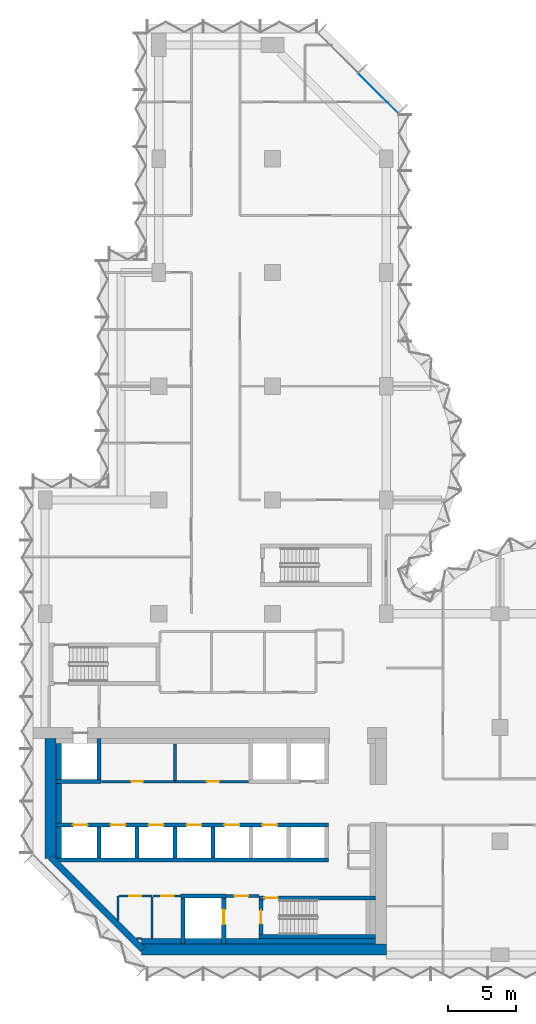
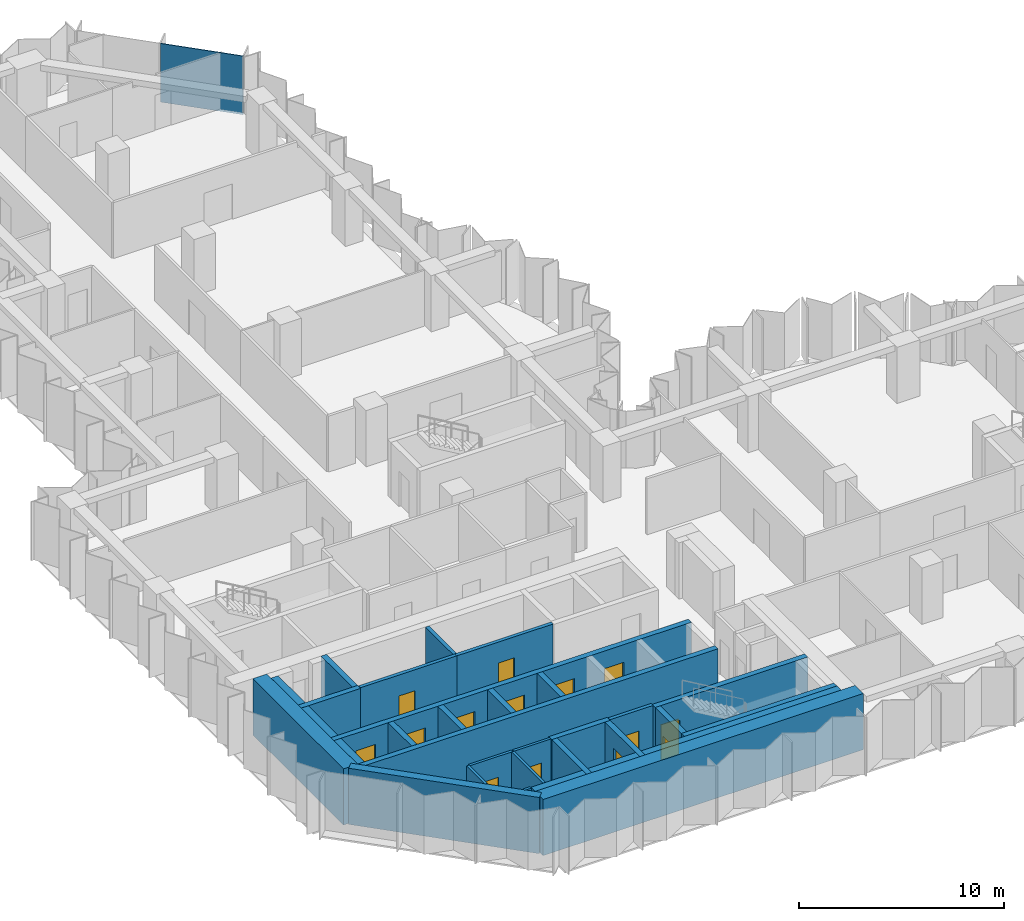
# One storey, part 5 of 11: 32 walls, 14 doors, 1 plate, 14 openings, 1 element without a shape of its own.
"""IFC4 building model written with IfcOpenShell, lengths in metres."""

from ifc_helpers import new_model, si_unit, direction, frame, frame_2d, origin, place, context, subcontext, project, spatial, polyline, rectangle, outline, extrude, material, layer, layer_set, type_object, element, fill, aggregate, save


model = new_model("IFC4")

# Units and contexts
model_context = context("Model", 3, precision=1e-05, world=origin(), true_north=direction((0.0, 1.0)))
body_context = subcontext(model_context, "Body", "Model", "MODEL_VIEW")
ifc_project = project(units=[si_unit("LENGTHUNIT", "METRE"), si_unit("AREAUNIT", "SQUARE_METRE"), si_unit("VOLUMEUNIT", "CUBIC_METRE"), si_unit("PLANEANGLEUNIT", "RADIAN"), si_unit("MASSUNIT", "GRAM", prefix="KILO")], contexts=[model_context])

# Site, building, storey
site_placement = place(None, origin())
site = spatial("IfcSite", under=ifc_project, at=site_placement, CompositionType="ELEMENT")
building_placement = place(site_placement, origin())
building = spatial("IfcBuilding", under=site, at=building_placement, Name="Brevane Broadcast Tower", CompositionType="ELEMENT")
storey_placement = place(building_placement, frame((0.0, 0.0, 138.5)))
storey = spatial("IfcBuildingStorey", under=building, at=storey_placement, Name="L34", CompositionType="ELEMENT", Elevation=138.5)

# Curtain wall, plate
ifc_material_1 = material(Name="Aluminium 6063-T6 bronze anodised", Category="aluminium")
curtain_wall_type = type_object("IfcCurtainWallType", Name="CW-1 curtain wall", PredefinedType="NOTDEFINED", material=ifc_material_1)
curtain_wall_placement = place(storey_placement, origin())
curtain_wall = element("IfcCurtainWall", 1, at=curtain_wall_placement, inside=storey, type_object=curtain_wall_type, Name="CW-1 typical tilted unit L34 north arm north-east chamfer", PredefinedType="NOTDEFINED")
ifc_material_2 = material(Name="Laminated glass bronze-tinted", Category="glass")
ifc_layer_1 = layer(ifc_material_2, 0.0400390625)
ifc_layer_set_1 = layer_set([ifc_layer_1], Name="CW tall glass panel 40")
plate_type = type_object("IfcPlateType", Name="CW tall glass panel 40", PredefinedType="CURTAIN_PANEL", material=ifc_layer_set_1)
plate_placement = place(storey_placement, frame((0.0, 0.0, -0.14990234375)))
plate = element("IfcPlate", 2, at=plate_placement, type_object=plate_type, Name="CW-1 glass panel", PredefinedType="CURTAIN_PANEL", context=body_context, shape_type="SweptSolid", body=[
    extrude(outline(polyline([(26.096435546875, 62.14599609375), (23.14599609375, 65.096435546875), (23.17431640625, 65.124755859375), (26.124755859375, 62.17431640625), (26.096435546875, 62.14599609375)])), origin(), (0.0, 0.0, 1.0), 3.5),
])
aggregate(curtain_wall, [plate])

# Walls
ifc_material_3 = material(Name="Concrete C32/40", Category="concrete")
ifc_layer_2 = layer(ifc_material_3, 0.39990234375)
ifc_layer_set_2 = layer_set([ifc_layer_2], Name="Core chase wall 400 mm")
wall_type_1 = type_object("IfcWallType", Name="Core chase wall 400 mm", PredefinedType="PARTITIONING", material=ifc_layer_set_2)
wall_1_placement = place(storey_placement, frame((1.0, 7.14990234375, 0.0), z_axis=(0.0, 0.0, 1.0), x_axis=(0.0, 1.0, 0.0)))
element("IfcWall", 3, at=wall_1_placement, inside=storey, type_object=wall_type_1, Name="L34 chase wall LW-2-1", PredefinedType="PARTITIONING", context=body_context, shape_type="SweptSolid", body=[
    extrude(rectangle(XDim=2.300048828125, YDim=0.39990234375, at=frame_2d((1.14990234375, 0.0))), origin(), (0.0, 0.0, 1.0), 3.35009765625),
])
wall_2_placement = place(storey_placement, frame((1.0, 9.75, 0.0), z_axis=(0.0, 0.0, 1.0), x_axis=(0.0, 1.0, 0.0)))
element("IfcWall", 4, at=wall_2_placement, inside=storey, type_object=wall_type_1, Name="L34 chase wall LW-2-2-1", PredefinedType="PARTITIONING", context=body_context, shape_type="SweptSolid", body=[
    extrude(rectangle(XDim=2.89990234375, YDim=0.39990234375, at=frame_2d((1.449951171875, 0.0))), origin(), (0.0, 0.0, 1.0), 3.35009765625),
])
wall_3_placement = place(storey_placement, frame((1.0, 12.949951171875, 0.0), z_axis=(0.0, 0.0, 1.0), x_axis=(0.0, 1.0, 0.0)))
element("IfcWall", 5, at=wall_3_placement, inside=storey, type_object=wall_type_1, Name="L34 chase wall LW-2-2-2", PredefinedType="PARTITIONING", context=body_context, shape_type="SweptSolid", body=[
    extrude(rectangle(XDim=2.650146484375, YDim=0.39990234375, at=frame_2d((1.3251953125, 0.0))), origin(), (0.0, 0.0, 1.0), 3.35009765625),
])
wall_4_placement = place(storey_placement, frame((7.136474609375, 1.0, 0.0), z_axis=(0.0, 0.0, 1.0), x_axis=(1.0, 0.0, 0.0)))
element("IfcWall", 6, at=wall_4_placement, inside=storey, type_object=wall_type_1, Name="L34 chase wall LS-1", PredefinedType="PARTITIONING", context=body_context, shape_type="SweptSolid", body=[
    extrude(rectangle(XDim=2.91357421875, YDim=0.39990234375, at=frame_2d((1.456787109375, 0.0))), origin(), (0.0, 0.0, 1.0), 3.35009765625),
])
wall_5_placement = place(storey_placement, frame((10.35009765625, 1.0, 0.0), z_axis=(0.0, 0.0, 1.0), x_axis=(1.0, 0.0, 0.0)))
element("IfcWall", 7, at=wall_5_placement, inside=storey, type_object=wall_type_1, Name="L34 chase wall LS-2-1", PredefinedType="PARTITIONING", context=body_context, shape_type="SweptSolid", body=[
    extrude(rectangle(XDim=2.699951171875, YDim=0.39990234375, at=frame_2d((1.35009765625, 0.0))), origin(), (0.0, 0.0, 1.0), 3.35009765625),
])
wall_6_placement = place(storey_placement, frame((13.35009765625, 1.0, 0.0), z_axis=(0.0, 0.0, 1.0), x_axis=(1.0, 0.0, 0.0)))
element("IfcWall", 8, at=wall_6_placement, inside=storey, type_object=wall_type_1, Name="L34 chase wall LS-2-2", PredefinedType="PARTITIONING", context=body_context, shape_type="SweptSolid", body=[
    extrude(rectangle(XDim=11.0498046875, YDim=0.39990234375, at=frame_2d((5.52490234375, 0.0))), origin(), (0.0, 0.0, 1.0), 3.35009765625),
])
ifc_material_4 = material(Name="Gypsum board on steel studs", Category="steel")
ifc_layer_3 = layer(ifc_material_4, 0.14990234375)
ifc_layer_set_3 = layer_set([ifc_layer_3], Name="Core fire partition 150 mm")
wall_type_2 = type_object("IfcWallType", Name="Core fire partition 150 mm", PredefinedType="PARTITIONING", material=ifc_layer_set_3)
wall_7_placement = place(storey_placement, frame((5.39990234375, 2.553466796875, 0.0), z_axis=(0.0, 0.0, 1.0), x_axis=(0.0, 1.0, 0.0)))
element("IfcWall", 9, at=wall_7_placement, inside=storey, type_object=wall_type_2, Name="L34 partition wall P10", PredefinedType="PARTITIONING", context=body_context, shape_type="SweptSolid", body=[
    extrude(rectangle(XDim=1.796630859375, YDim=0.14990234375, at=frame_2d((0.8984375, 0.0))), origin(), (0.0, 0.0, 1.0), 3.35009765625),
])

# Wall, opening, door
wall_8_placement = place(storey_placement, frame((5.47509765625, 4.35009765625, 0.0), z_axis=(0.0, 0.0, 1.0), x_axis=(1.0, 0.0, 0.0)))
wall_8 = element("IfcWall", 10, at=wall_8_placement, inside=storey, type_object=wall_type_2, Name="L34 partition wall P11", PredefinedType="PARTITIONING", context=body_context, shape_type="SweptSolid", body=[
    extrude(rectangle(XDim=2.4248046875, YDim=0.14990234375, at=frame_2d((1.21240234375, 0.0))), origin(), (0.0, 0.0, 1.0), 3.35009765625),
])
opening_1_placement = place(wall_8_placement, frame((0.72509765625, 0.0, 0.0)))
opening_1 = element("IfcOpeningElement", 11, at=opening_1_placement, cuts=wall_8, Name="Opening L34-K16", PredefinedType="OPENING", context=body_context, shape_type="SweptSolid", body=[
    extrude(rectangle(XDim=0.89990234375, YDim=2.10009765625, at=frame_2d((0.449951171875, 1.050048828125))), frame((0.0, 0.0849609375, 0.0), z_axis=(0.0, -1.0, 0.0), x_axis=(1.0, 0.0, 0.0)), (0.0, 0.0, 1.0), 0.169921875),
])
ifc_material_5 = material(Name="Timber", Category="wood")
door_type_1 = type_object("IfcDoorType", Name="Toilet door 900 x 2100", OperationType="SINGLE_SWING_LEFT", PredefinedType="DOOR", material=ifc_material_5)
door_1_placement = place(opening_1_placement, origin())
door_1 = element("IfcDoor", 12, at=door_1_placement, inside=storey, type_object=door_type_1, Name="Door L34-K16", OperationType="SINGLE_SWING_RIGHT", OverallHeight=2.10009765625, OverallWidth=0.89990234375, PredefinedType="DOOR", context=body_context, shape_type="SweptSolid", body=[
    extrude(rectangle(XDim=0.89990234375, YDim=2.10009765625, at=frame_2d((0.449951171875, 1.050048828125))), frame((0.0, 0.02490234375, 0.0), z_axis=(0.0, -1.0, 0.0), x_axis=(1.0, 0.0, 0.0)), (0.0, 0.0, 1.0), 0.050048828125),
])
fill(opening_1, door_1)

# Walls
wall_9_placement = place(storey_placement, frame((7.89990234375, 4.27490234375, 0.0), z_axis=(0.0, 0.0, 1.0), x_axis=(0.0, -1.0, 0.0)))
element("IfcWall", 13, at=wall_9_placement, inside=storey, type_object=wall_type_2, Name="L34 partition wall P12", PredefinedType="PARTITIONING", context=body_context, shape_type="SweptSolid", body=[
    extrude(rectangle(XDim=3.06298828125, YDim=0.14990234375, at=frame_2d((1.531494140625, 0.0))), origin(), (0.0, 0.0, 1.0), 3.35009765625),
])
wall_10_placement = place(storey_placement, frame((7.12451171875, 1.199951171875, 0.0), z_axis=(0.0, 0.0, 1.0), x_axis=(-1.0, 0.0, 0.0)))
element("IfcWall", 14, at=wall_10_placement, inside=storey, type_object=wall_type_2, Name="L34 partition wall P13", PredefinedType="PARTITIONING", context=body_context, shape_type="SweptSolid", body=[
    extrude(rectangle(XDim=0.37109375, YDim=0.14990234375, at=frame_2d((0.185546875, 0.0))), origin(), (0.0, 0.0, 1.0), 3.35009765625),
])

# Wall, opening, door
wall_11_placement = place(storey_placement, frame((10.0380859375, 4.35009765625, 0.0), z_axis=(0.0, 0.0, 1.0), x_axis=(-1.0, 0.0, 0.0)))
wall_11 = element("IfcWall", 15, at=wall_11_placement, inside=storey, type_object=wall_type_2, Name="L34 partition wall P14", PredefinedType="PARTITIONING", context=body_context, shape_type="SweptSolid", body=[
    extrude(rectangle(XDim=2.06298828125, YDim=0.14990234375, at=frame_2d((1.031494140625, 0.0))), origin(), (0.0, 0.0, 1.0), 3.35009765625),
])
opening_2_placement = place(wall_11_placement, frame((0.5380859375, 0.0, 0.0)))
opening_2 = element("IfcOpeningElement", 16, at=opening_2_placement, cuts=wall_11, Name="Opening L34-K17", PredefinedType="OPENING", context=body_context, shape_type="SweptSolid", body=[
    extrude(rectangle(XDim=0.89990234375, YDim=2.10009765625, at=frame_2d((0.449951171875, 1.050048828125))), frame((0.0, 0.0849609375, 0.0), z_axis=(0.0, -1.0, 0.0), x_axis=(1.0, 0.0, 0.0)), (0.0, 0.0, 1.0), 0.169921875),
])
door_2_placement = place(opening_2_placement, origin())
door_2 = element("IfcDoor", 17, at=door_2_placement, inside=storey, type_object=door_type_1, Name="Door L34-K17", OperationType="SINGLE_SWING_LEFT", OverallHeight=2.10009765625, OverallWidth=0.89990234375, PredefinedType="DOOR", context=body_context, shape_type="SweptSolid", body=[
    extrude(rectangle(XDim=0.89990234375, YDim=2.10009765625, at=frame_2d((0.449951171875, 1.050048828125))), frame((0.0, 0.02490234375, 0.0), z_axis=(0.0, -1.0, 0.0), x_axis=(1.0, 0.0, 0.0)), (0.0, 0.0, 1.0), 0.050048828125),
])
fill(opening_2, door_2)

ifc_layer_4 = layer(ifc_material_4, 0.199951171875)
ifc_layer_set_4 = layer_set([ifc_layer_4], Name="Core fire partition 200 mm")
wall_type_3 = type_object("IfcWallType", Name="Core fire partition 200 mm", PredefinedType="PARTITIONING", material=ifc_layer_set_4)
wall_12_placement = place(storey_placement, frame((13.362060546875, 4.35009765625, 0.0), z_axis=(0.0, 0.0, 1.0), x_axis=(1.0, 0.0, 0.0)))
wall_12 = element("IfcWall", 18, at=wall_12_placement, inside=storey, type_object=wall_type_3, Name="L34 partition wall P03", PredefinedType="PARTITIONING", context=body_context, shape_type="SweptSolid", body=[
    extrude(rectangle(XDim=2.426025390625, YDim=0.199951171875, at=frame_2d((1.212890625, 0.0))), origin(), (0.0, 0.0, 1.0), 3.35009765625),
])
opening_3_placement = place(wall_12_placement, frame((0.637939453125, 0.0, 0.0)))
opening_3 = element("IfcOpeningElement", 19, at=opening_3_placement, cuts=wall_12, Name="Opening L34-K18", PredefinedType="OPENING", context=body_context, shape_type="SweptSolid", body=[
    extrude(rectangle(XDim=1.0, YDim=2.10009765625, at=frame_2d((0.5, 1.050048828125))), frame((0.0, 0.10986328125, 0.0), z_axis=(0.0, -1.0, 0.0), x_axis=(1.0, 0.0, 0.0)), (0.0, 0.0, 1.0), 0.219970703125),
])
ifc_material_6 = material(Name="Steel", Category="steel")
door_type_2 = type_object("IfcDoorType", Name="Stair door 1000 x 2100", OperationType="SINGLE_SWING_LEFT", PredefinedType="DOOR", material=ifc_material_6)
door_3_placement = place(opening_3_placement, origin())
door_3 = element("IfcDoor", 20, at=door_3_placement, inside=storey, type_object=door_type_2, Name="Door L34-K18", OperationType="SINGLE_SWING_RIGHT", OverallHeight=2.10009765625, OverallWidth=1.0, PredefinedType="DOOR", context=body_context, shape_type="SweptSolid", body=[
    extrude(rectangle(XDim=1.0, YDim=2.10009765625, at=frame_2d((0.5, 1.050048828125))), frame((0.0, 0.02490234375, 0.0), z_axis=(0.0, -1.0, 0.0), x_axis=(1.0, 0.0, 0.0)), (0.0, 0.0, 1.0), 0.050048828125),
])
fill(opening_3, door_3)

wall_13_placement = place(storey_placement, frame((4.162109375, 12.800048828125, 0.0), z_axis=(0.0, 0.0, 1.0), x_axis=(1.0, 0.0, 0.0)))
wall_13 = element("IfcWall", 21, at=wall_13_placement, inside=storey, type_object=wall_type_3, Name="L34 partition wall P04", PredefinedType="PARTITIONING", context=body_context, shape_type="SweptSolid", body=[
    extrude(rectangle(XDim=5.43798828125, YDim=0.199951171875, at=frame_2d((2.718994140625, 0.0))), origin(), (0.0, 0.0, 1.0), 3.35009765625),
])
opening_4_placement = place(wall_13_placement, frame((2.18798828125, 0.0, 0.0)))
opening_4 = element("IfcOpeningElement", 22, at=opening_4_placement, cuts=wall_13, Name="Opening L34-K21", PredefinedType="OPENING", context=body_context, shape_type="SweptSolid", body=[
    extrude(rectangle(XDim=0.89990234375, YDim=2.10009765625, at=frame_2d((0.449951171875, 1.050048828125))), frame((0.0, 0.10986328125, 0.0), z_axis=(0.0, -1.0, 0.0), x_axis=(1.0, 0.0, 0.0)), (0.0, 0.0, 1.0), 0.219970703125),
])
door_type_3 = type_object("IfcDoorType", Name="Service room door 900 x 2100", OperationType="SINGLE_SWING_LEFT", PredefinedType="DOOR", material=ifc_material_6)
door_4_placement = place(opening_4_placement, origin())
door_4 = element("IfcDoor", 23, at=door_4_placement, inside=storey, type_object=door_type_3, Name="Door L34-K21", OperationType="SINGLE_SWING_LEFT", OverallHeight=2.10009765625, OverallWidth=0.89990234375, PredefinedType="DOOR", context=body_context, shape_type="SweptSolid", body=[
    extrude(rectangle(XDim=0.89990234375, YDim=2.10009765625, at=frame_2d((0.449951171875, 1.050048828125))), frame((0.0, 0.02490234375, 0.0), z_axis=(0.0, -1.0, 0.0), x_axis=(1.0, 0.0, 0.0)), (0.0, 0.0, 1.0), 0.050048828125),
])
fill(opening_4, door_4)

wall_14_placement = place(storey_placement, frame((9.60009765625, 12.800048828125, 0.0), z_axis=(0.0, 0.0, 1.0), x_axis=(1.0, 0.0, 0.0)))
wall_14 = element("IfcWall", 24, at=wall_14_placement, inside=storey, type_object=wall_type_3, Name="L34 partition wall P05", PredefinedType="PARTITIONING", context=body_context, shape_type="SweptSolid", body=[
    extrude(rectangle(XDim=5.43798828125, YDim=0.199951171875, at=frame_2d((2.718994140625, 0.0))), origin(), (0.0, 0.0, 1.0), 3.35009765625),
])
opening_5_placement = place(wall_14_placement, frame((2.35009765625, 0.0, 0.0)))
opening_5 = element("IfcOpeningElement", 25, at=opening_5_placement, cuts=wall_14, Name="Opening L34-K22", PredefinedType="OPENING", context=body_context, shape_type="SweptSolid", body=[
    extrude(rectangle(XDim=0.89990234375, YDim=2.10009765625, at=frame_2d((0.449951171875, 1.050048828125))), frame((0.0, 0.10986328125, 0.0), z_axis=(0.0, -1.0, 0.0), x_axis=(1.0, 0.0, 0.0)), (0.0, 0.0, 1.0), 0.219970703125),
])
door_5_placement = place(opening_5_placement, origin())
door_5 = element("IfcDoor", 26, at=door_5_placement, inside=storey, type_object=door_type_3, Name="Door L34-K22", OperationType="SINGLE_SWING_RIGHT", OverallHeight=2.10009765625, OverallWidth=0.89990234375, PredefinedType="DOOR", context=body_context, shape_type="SweptSolid", body=[
    extrude(rectangle(XDim=0.89990234375, YDim=2.10009765625, at=frame_2d((0.449951171875, 1.050048828125))), frame((0.0, 0.02490234375, 0.0), z_axis=(0.0, -1.0, 0.0), x_axis=(1.0, 0.0, 0.0)), (0.0, 0.0, 1.0), 0.050048828125),
])
fill(opening_5, door_5)

# Walls
wall_15_placement = place(storey_placement, frame((9.60009765625, 15.587890625, 0.0), z_axis=(0.0, 0.0, 1.0), x_axis=(0.0, -1.0, 0.0)))
element("IfcWall", 27, at=wall_15_placement, inside=storey, type_object=wall_type_3, Name="L34 partition wall P06", PredefinedType="PARTITIONING", context=body_context, shape_type="SweptSolid", body=[
    extrude(rectangle(XDim=2.68798828125, YDim=0.199951171875, at=frame_2d((1.343994140625, 0.0))), origin(), (0.0, 0.0, 1.0), 3.35009765625),
])
ifc_material_7 = material(Name="Concrete C60/75", Category="concrete")
ifc_layer_5 = layer(ifc_material_7, 0.300048828125)
ifc_layer_set_5 = layer_set([ifc_layer_5], Name="Core wall 300 mm C60/75")
wall_type_4 = type_object("IfcWallType", Name="Core wall 300 mm C60/75", PredefinedType="SHEAR", material=ifc_layer_set_5)
wall_16_placement = place(storey_placement, frame((0.800048828125, 7.0, 0.0), z_axis=(0.0, 0.0, 1.0), x_axis=(1.0, 0.0, 0.0)))
element("IfcWall", 28, at=wall_16_placement, inside=storey, type_object=wall_type_4, Name="L34 shaft wall SH-S012-back", PredefinedType="SHEAR", context=body_context, shape_type="SweptSolid", body=[
    extrude(rectangle(XDim=20.14990234375, YDim=0.300048828125, at=frame_2d((10.074951171875, 0.0))), origin(), (0.0, 0.0, 1.0), 3.35009765625),
])

# Wall, openings, doors
wall_17_placement = place(storey_placement, frame((0.800048828125, 9.60009765625, 0.0), z_axis=(0.0, 0.0, 1.0), x_axis=(1.0, 0.0, 0.0)))
wall_17 = element("IfcWall", 29, at=wall_17_placement, inside=storey, type_object=wall_type_4, Name="L34 shaft wall SH-S012-front", PredefinedType="SHEAR", context=body_context, shape_type="SweptSolid", body=[
    extrude(rectangle(XDim=20.14990234375, YDim=0.300048828125, at=frame_2d((10.074951171875, 0.0))), origin(), (0.0, 0.0, 1.0), 3.35009765625),
])
opening_6_placement = place(wall_17_placement, frame((1.25, 0.0, 0.0)))
opening_6 = element("IfcOpeningElement", 30, at=opening_6_placement, cuts=wall_17, Name="Opening LD", PredefinedType="OPENING", context=body_context, shape_type="SweptSolid", body=[
    extrude(rectangle(XDim=1.10009765625, YDim=2.300048828125, at=frame_2d((0.550048828125, 1.14990234375))), frame((0.0, 0.159912109375, 0.0), z_axis=(0.0, -1.0, 0.0), x_axis=(1.0, 0.0, 0.0)), (0.0, 0.0, 1.0), 0.320068359375),
])
opening_7_placement = place(wall_17_placement, frame((4.050048828125, 0.0, 0.0)))
opening_7 = element("IfcOpeningElement", 31, at=opening_7_placement, cuts=wall_17, Name="Opening LD", PredefinedType="OPENING", context=body_context, shape_type="SweptSolid", body=[
    extrude(rectangle(XDim=1.10009765625, YDim=2.300048828125, at=frame_2d((0.550048828125, 1.14990234375))), frame((0.0, 0.159912109375, 0.0), z_axis=(0.0, -1.0, 0.0), x_axis=(1.0, 0.0, 0.0)), (0.0, 0.0, 1.0), 0.320068359375),
])
opening_8_placement = place(wall_17_placement, frame((6.85009765625, 0.0, 0.0)))
opening_8 = element("IfcOpeningElement", 32, at=opening_8_placement, cuts=wall_17, Name="Opening LD", PredefinedType="OPENING", context=body_context, shape_type="SweptSolid", body=[
    extrude(rectangle(XDim=1.10009765625, YDim=2.300048828125, at=frame_2d((0.550048828125, 1.14990234375))), frame((0.0, 0.159912109375, 0.0), z_axis=(0.0, -1.0, 0.0), x_axis=(1.0, 0.0, 0.0)), (0.0, 0.0, 1.0), 0.320068359375),
])
opening_9_placement = place(wall_17_placement, frame((9.64990234375, 0.0, 0.0)))
opening_9 = element("IfcOpeningElement", 33, at=opening_9_placement, cuts=wall_17, Name="Opening LD", PredefinedType="OPENING", context=body_context, shape_type="SweptSolid", body=[
    extrude(rectangle(XDim=1.10009765625, YDim=2.300048828125, at=frame_2d((0.550048828125, 1.14990234375))), frame((0.0, 0.159912109375, 0.0), z_axis=(0.0, -1.0, 0.0), x_axis=(1.0, 0.0, 0.0)), (0.0, 0.0, 1.0), 0.320068359375),
])
opening_10_placement = place(wall_17_placement, frame((12.449951171875, 0.0, 0.0)))
opening_10 = element("IfcOpeningElement", 34, at=opening_10_placement, cuts=wall_17, Name="Opening LD", PredefinedType="OPENING", context=body_context, shape_type="SweptSolid", body=[
    extrude(rectangle(XDim=1.10009765625, YDim=2.300048828125, at=frame_2d((0.550048828125, 1.14990234375))), frame((0.0, 0.159912109375, 0.0), z_axis=(0.0, -1.0, 0.0), x_axis=(1.0, 0.0, 0.0)), (0.0, 0.0, 1.0), 0.320068359375),
])
opening_11_placement = place(wall_17_placement, frame((15.25, 0.0, 0.0)))
opening_11 = element("IfcOpeningElement", 35, at=opening_11_placement, cuts=wall_17, Name="Opening LD", PredefinedType="OPENING", context=body_context, shape_type="SweptSolid", body=[
    extrude(rectangle(XDim=1.10009765625, YDim=2.300048828125, at=frame_2d((0.550048828125, 1.14990234375))), frame((0.0, 0.159912109375, 0.0), z_axis=(0.0, -1.0, 0.0), x_axis=(1.0, 0.0, 0.0)), (0.0, 0.0, 1.0), 0.320068359375),
])
ifc_material_8 = material(Name="Stainless steel", Category="steel")
door_type_4 = type_object("IfcDoorType", Name="Lift landing door", OperationType="SLIDING_TO_LEFT", PredefinedType="DOOR", material=ifc_material_8)
door_6_placement = place(opening_6_placement, origin())
door_6 = element("IfcDoor", 36, at=door_6_placement, inside=storey, type_object=door_type_4, Name="Landing door LR1 L34", OperationType="SLIDING_TO_LEFT", OverallHeight=2.300048828125, OverallWidth=1.10009765625, PredefinedType="DOOR", context=body_context, shape_type="SweptSolid", body=[
    extrude(rectangle(XDim=1.10009765625, YDim=2.300048828125, at=frame_2d((0.550048828125, 1.14990234375))), frame((0.0, 0.02490234375, 0.0), z_axis=(0.0, -1.0, 0.0), x_axis=(1.0, 0.0, 0.0)), (0.0, 0.0, 1.0), 0.050048828125),
])
fill(opening_6, door_6)
door_7_placement = place(opening_7_placement, origin())
door_7 = element("IfcDoor", 37, at=door_7_placement, inside=storey, type_object=door_type_4, Name="Landing door LR2 L34", OperationType="SLIDING_TO_LEFT", OverallHeight=2.300048828125, OverallWidth=1.10009765625, PredefinedType="DOOR", context=body_context, shape_type="SweptSolid", body=[
    extrude(rectangle(XDim=1.10009765625, YDim=2.300048828125, at=frame_2d((0.550048828125, 1.14990234375))), frame((0.0, 0.02490234375, 0.0), z_axis=(0.0, -1.0, 0.0), x_axis=(1.0, 0.0, 0.0)), (0.0, 0.0, 1.0), 0.050048828125),
])
fill(opening_7, door_7)
door_8_placement = place(opening_8_placement, origin())
door_8 = element("IfcDoor", 38, at=door_8_placement, inside=storey, type_object=door_type_4, Name="Landing door LR3 L34", OperationType="SLIDING_TO_LEFT", OverallHeight=2.300048828125, OverallWidth=1.10009765625, PredefinedType="DOOR", context=body_context, shape_type="SweptSolid", body=[
    extrude(rectangle(XDim=1.10009765625, YDim=2.300048828125, at=frame_2d((0.550048828125, 1.14990234375))), frame((0.0, 0.02490234375, 0.0), z_axis=(0.0, -1.0, 0.0), x_axis=(1.0, 0.0, 0.0)), (0.0, 0.0, 1.0), 0.050048828125),
])
fill(opening_8, door_8)
door_9_placement = place(opening_9_placement, origin())
door_9 = element("IfcDoor", 39, at=door_9_placement, inside=storey, type_object=door_type_4, Name="Landing door LR4 L34", OperationType="SLIDING_TO_LEFT", OverallHeight=2.300048828125, OverallWidth=1.10009765625, PredefinedType="DOOR", context=body_context, shape_type="SweptSolid", body=[
    extrude(rectangle(XDim=1.10009765625, YDim=2.300048828125, at=frame_2d((0.550048828125, 1.14990234375))), frame((0.0, 0.02490234375, 0.0), z_axis=(0.0, -1.0, 0.0), x_axis=(1.0, 0.0, 0.0)), (0.0, 0.0, 1.0), 0.050048828125),
])
fill(opening_9, door_9)
door_10_placement = place(opening_10_placement, origin())
door_10 = element("IfcDoor", 40, at=door_10_placement, inside=storey, type_object=door_type_4, Name="Landing door LR5 L34", OperationType="SLIDING_TO_LEFT", OverallHeight=2.300048828125, OverallWidth=1.10009765625, PredefinedType="DOOR", context=body_context, shape_type="SweptSolid", body=[
    extrude(rectangle(XDim=1.10009765625, YDim=2.300048828125, at=frame_2d((0.550048828125, 1.14990234375))), frame((0.0, 0.02490234375, 0.0), z_axis=(0.0, -1.0, 0.0), x_axis=(1.0, 0.0, 0.0)), (0.0, 0.0, 1.0), 0.050048828125),
])
fill(opening_10, door_10)
door_11_placement = place(opening_11_placement, origin())
door_11 = element("IfcDoor", 41, at=door_11_placement, inside=storey, type_object=door_type_4, Name="Landing door LR6 L34", OperationType="SLIDING_TO_LEFT", OverallHeight=2.300048828125, OverallWidth=1.10009765625, PredefinedType="DOOR", context=body_context, shape_type="SweptSolid", body=[
    extrude(rectangle(XDim=1.10009765625, YDim=2.300048828125, at=frame_2d((0.550048828125, 1.14990234375))), frame((0.0, 0.02490234375, 0.0), z_axis=(0.0, -1.0, 0.0), x_axis=(1.0, 0.0, 0.0)), (0.0, 0.0, 1.0), 0.050048828125),
])
fill(opening_11, door_11)

# Walls
for number, where, z_axis, x_axis, name in (
    (42, (4.0, 7.14990234375, 0.0), (0.0, 0.0, 1.0), (0.0, 1.0, 0.0), "L34 shaft wall SH-S-P040"),
    (43, (6.800048828125, 7.14990234375, 0.0), (0.0, 0.0, 1.0), (0.0, 1.0, 0.0), "L34 shaft wall SH-S-P068"),
    (44, (9.60009765625, 7.14990234375, 0.0), (0.0, 0.0, 1.0), (0.0, 1.0, 0.0), "L34 shaft wall SH-S-P096"),
    (45, (12.39990234375, 7.14990234375, 0.0), (0.0, 0.0, 1.0), (0.0, 1.0, 0.0), "L34 shaft wall SH-S-P124"),
):
    element("IfcWall", number, at=place(storey_placement, frame(where, z_axis=z_axis, x_axis=x_axis)), inside=storey, type_object=wall_type_4, Name=name, PredefinedType="SHEAR", context=body_context, shape_type="SweptSolid", body=[
        extrude(rectangle(XDim=2.300048828125, YDim=0.300048828125, at=frame_2d((1.14990234375, 0.0))), origin(), (0.0, 0.0, 1.0), 3.35009765625),
    ])
wall_18_placement = place(storey_placement, frame((0.800048828125, 12.800048828125, 0.0), z_axis=(0.0, 0.0, 1.0), x_axis=(1.0, 0.0, 0.0)))
element("IfcWall", 46, at=wall_18_placement, inside=storey, type_object=wall_type_4, Name="L34 shaft wall SH-N012-front", PredefinedType="SHEAR", context=body_context, shape_type="SweptSolid", body=[
    extrude(rectangle(XDim=3.349853515625, YDim=0.300048828125, at=frame_2d((1.6748046875, 0.0))), origin(), (0.0, 0.0, 1.0), 3.35009765625),
])
wall_19_placement = place(storey_placement, frame((4.0, 12.949951171875, 0.0), z_axis=(0.0, 0.0, 1.0), x_axis=(0.0, 1.0, 0.0)))
element("IfcWall", 47, at=wall_19_placement, inside=storey, type_object=wall_type_4, Name="L34 shaft wall SH-N-P040", PredefinedType="SHEAR", context=body_context, shape_type="SweptSolid", body=[
    extrude(rectangle(XDim=3.050048828125, YDim=0.300048828125, at=frame_2d((1.52490234375, 0.0))), origin(), (0.0, 0.0, 1.0), 3.35009765625),
])
wall_20_placement = place(storey_placement, frame((10.199951171875, 0.800048828125, 0.0), z_axis=(0.0, 0.0, 1.0), x_axis=(0.0, 1.0, 0.0)))
element("IfcWall", 48, at=wall_20_placement, inside=storey, type_object=wall_type_4, Name="L34 shaft wall FF2-W", PredefinedType="SHEAR", context=body_context, shape_type="SweptSolid", body=[
    extrude(rectangle(XDim=3.39990234375, YDim=0.300048828125, at=frame_2d((1.699951171875, 0.0))), origin(), (0.0, 0.0, 1.0), 3.35009765625),
])

# Wall, opening, door
wall_21_placement = place(storey_placement, frame((13.199951171875, 0.800048828125, 0.0), z_axis=(0.0, 0.0, 1.0), x_axis=(0.0, 1.0, 0.0)))
wall_21 = element("IfcWall", 49, at=wall_21_placement, inside=storey, type_object=wall_type_4, Name="L34 shaft wall FF2-E", PredefinedType="SHEAR", context=body_context, shape_type="SweptSolid", body=[
    extrude(rectangle(XDim=3.39990234375, YDim=0.300048828125, at=frame_2d((1.699951171875, 0.0))), origin(), (0.0, 0.0, 1.0), 3.35009765625),
])
opening_12_placement = place(wall_21_placement, frame((1.449951171875, 0.0, 0.0)))
opening_12 = element("IfcOpeningElement", 50, at=opening_12_placement, cuts=wall_21, Name="Opening LD", PredefinedType="OPENING", context=body_context, shape_type="SweptSolid", body=[
    extrude(rectangle(XDim=1.10009765625, YDim=2.300048828125, at=frame_2d((0.550048828125, 1.14990234375))), frame((0.0, 0.159912109375, 0.0), z_axis=(0.0, -1.0, 0.0), x_axis=(1.0, 0.0, 0.0)), (0.0, 0.0, 1.0), 0.320068359375),
])
door_12_placement = place(opening_12_placement, origin())
door_12 = element("IfcDoor", 51, at=door_12_placement, inside=storey, type_object=door_type_4, Name="Landing door FF2 L34", OperationType="SLIDING_TO_LEFT", OverallHeight=2.300048828125, OverallWidth=1.10009765625, PredefinedType="DOOR", context=body_context, shape_type="SweptSolid", body=[
    extrude(rectangle(XDim=1.10009765625, YDim=2.300048828125, at=frame_2d((0.550048828125, 1.14990234375))), frame((0.0, 0.02490234375, 0.0), z_axis=(0.0, -1.0, 0.0), x_axis=(1.0, 0.0, 0.0)), (0.0, 0.0, 1.0), 0.050048828125),
])
fill(opening_12, door_12)

# Walls
wall_22_placement = place(storey_placement, frame((10.050048828125, 4.35009765625, 0.0), z_axis=(0.0, 0.0, 1.0), x_axis=(1.0, 0.0, 0.0)))
element("IfcWall", 52, at=wall_22_placement, inside=storey, type_object=wall_type_4, Name="L34 shaft wall FF2-N", PredefinedType="SHEAR", context=body_context, shape_type="SweptSolid", body=[
    extrude(rectangle(XDim=3.300048828125, YDim=0.300048828125, at=frame_2d((1.64990234375, 0.0))), origin(), (0.0, 0.0, 1.0), 3.35009765625),
])
wall_23_placement = place(storey_placement, frame((15.800048828125, 1.35009765625, 0.0), z_axis=(0.0, 0.0, 1.0), x_axis=(1.0, 0.0, 0.0)))
element("IfcWall", 53, at=wall_23_placement, inside=storey, type_object=wall_type_4, Name="L34 stair wall ST-2-S", PredefinedType="SHEAR", context=body_context, shape_type="SweptSolid", body=[
    extrude(rectangle(XDim=8.599853515625, YDim=0.300048828125, at=frame_2d((4.2998046875, 0.0))), origin(), (0.0, 0.0, 1.0), 3.35009765625),
])

# Wall, opening, door
wall_24_placement = place(storey_placement, frame((15.800048828125, 4.199951171875, 0.0), z_axis=(0.0, 0.0, 1.0), x_axis=(1.0, 0.0, 0.0)))
wall_24 = element("IfcWall", 54, at=wall_24_placement, inside=storey, type_object=wall_type_4, Name="L34 stair wall ST-2-N", PredefinedType="SHEAR", context=body_context, shape_type="SweptSolid", body=[
    extrude(rectangle(XDim=8.599853515625, YDim=0.300048828125, at=frame_2d((4.2998046875, 0.0))), origin(), (0.0, 0.0, 1.0), 3.35009765625),
])
opening_13_placement = place(wall_24_placement, frame((0.39990234375, 0.0, 0.0)))
opening_13 = element("IfcOpeningElement", 55, at=opening_13_placement, cuts=wall_24, Name="Opening L34-K13", PredefinedType="OPENING", context=body_context, shape_type="SweptSolid", body=[
    extrude(rectangle(XDim=1.0, YDim=2.10009765625, at=frame_2d((0.5, 1.050048828125))), frame((0.0, 0.159912109375, 0.0), z_axis=(0.0, -1.0, 0.0), x_axis=(1.0, 0.0, 0.0)), (0.0, 0.0, 1.0), 0.320068359375),
])
door_13_placement = place(opening_13_placement, origin())
door_13 = element("IfcDoor", 56, at=door_13_placement, inside=storey, type_object=door_type_2, Name="Door L34-K13", OperationType="SINGLE_SWING_LEFT", OverallHeight=2.10009765625, OverallWidth=1.0, PredefinedType="DOOR", context=body_context, shape_type="SweptSolid", body=[
    extrude(rectangle(XDim=1.0, YDim=2.10009765625, at=frame_2d((0.5, 1.050048828125))), frame((0.0, 0.02490234375, 0.0), z_axis=(0.0, -1.0, 0.0), x_axis=(1.0, 0.0, 0.0)), (0.0, 0.0, 1.0), 0.050048828125),
])
fill(opening_13, door_13)

wall_25_placement = place(storey_placement, frame((15.949951171875, 1.5, 0.0), z_axis=(0.0, 0.0, 1.0), x_axis=(0.0, 1.0, 0.0)))
wall_25 = element("IfcWall", 57, at=wall_25_placement, inside=storey, type_object=wall_type_4, Name="L34 stair wall ST-2-W", PredefinedType="SHEAR", context=body_context, shape_type="SweptSolid", body=[
    extrude(rectangle(XDim=2.550048828125, YDim=0.300048828125, at=frame_2d((1.27490234375, 0.0))), origin(), (0.0, 0.0, 1.0), 3.35009765625),
])
opening_14_placement = place(wall_25_placement, frame((0.800048828125, 0.0, 0.0)))
opening_14 = element("IfcOpeningElement", 58, at=opening_14_placement, cuts=wall_25, Name="Opening L34-K12", PredefinedType="OPENING", context=body_context, shape_type="SweptSolid", body=[
    extrude(rectangle(XDim=1.0, YDim=2.10009765625, at=frame_2d((0.5, 1.050048828125))), frame((0.0, 0.159912109375, 0.0), z_axis=(0.0, -1.0, 0.0), x_axis=(1.0, 0.0, 0.0)), (0.0, 0.0, 1.0), 0.320068359375),
])
door_14_placement = place(opening_14_placement, origin())
door_14 = element("IfcDoor", 59, at=door_14_placement, inside=storey, type_object=door_type_2, Name="Door L34-K12", OperationType="SINGLE_SWING_RIGHT", OverallHeight=2.10009765625, OverallWidth=1.0, PredefinedType="DOOR", context=body_context, shape_type="SweptSolid", body=[
    extrude(rectangle(XDim=1.0, YDim=2.10009765625, at=frame_2d((0.5, 1.050048828125))), frame((0.0, 0.02490234375, 0.0), z_axis=(0.0, -1.0, 0.0), x_axis=(1.0, 0.0, 0.0)), (0.0, 0.0, 1.0), 0.050048828125),
])
fill(opening_14, door_14)

# Walls
ifc_layer_6 = layer(ifc_material_7, 0.449951171875)
ifc_layer_set_6 = layer_set([ifc_layer_6], Name="Core wall 450 mm C60/75")
wall_type_5 = type_object("IfcWallType", Name="Core wall 450 mm C60/75", PredefinedType="SHEAR", material=ifc_layer_set_6)
wall_26_placement = place(storey_placement, frame((0.39990234375, 7.21826171875, 0.0), z_axis=(0.0, 0.0, 1.0), x_axis=(0.707106781187, -0.707106781187, 0.0)))
element("IfcWall", 60, at=wall_26_placement, inside=storey, type_object=wall_type_5, Name="L34 outer wall WC", PredefinedType="SHEAR", context=body_context, shape_type="SweptSolid", body=[
    extrude(rectangle(XDim=9.642578125, YDim=0.449951171875, at=frame_2d((4.8212890625, 0.0))), origin(), (0.0, 0.0, 1.0), 3.35009765625),
])
ifc_layer_7 = layer(ifc_material_7, 0.800048828125)
ifc_layer_set_7 = layer_set([ifc_layer_7], Name="Core wall 800 mm C60/75")
wall_type_6 = type_object("IfcWallType", Name="Core wall 800 mm C60/75", PredefinedType="SHEAR", material=ifc_layer_set_7)
wall_27_placement = place(storey_placement, frame((7.136474609375, 0.39990234375, 0.0), z_axis=(0.0, 0.0, 1.0), x_axis=(1.0, 0.0, 0.0)))
element("IfcWall", 61, at=wall_27_placement, inside=storey, type_object=wall_type_6, Name="L34 outer wall WS", PredefinedType="SHEAR", context=body_context, shape_type="SweptSolid", body=[
    extrude(rectangle(XDim=18.0634765625, YDim=0.800048828125, at=frame_2d((9.03173828125, 0.0))), origin(), (0.0, 0.0, 1.0), 3.35009765625),
])
wall_28_placement = place(storey_placement, frame((0.39990234375, 7.136474609375, 0.0), z_axis=(0.0, 0.0, 1.0), x_axis=(0.0, 1.0, 0.0)))
element("IfcWall", 62, at=wall_28_placement, inside=storey, type_object=wall_type_6, Name="L34 outer wall WW", PredefinedType="SHEAR", context=body_context, shape_type="SweptSolid", body=[
    extrude(rectangle(XDim=8.863525390625, YDim=0.800048828125, at=frame_2d((4.431640625, 0.0))), origin(), (0.0, 0.0, 1.0), 3.35009765625),
])

save(model, "model.ifc")
